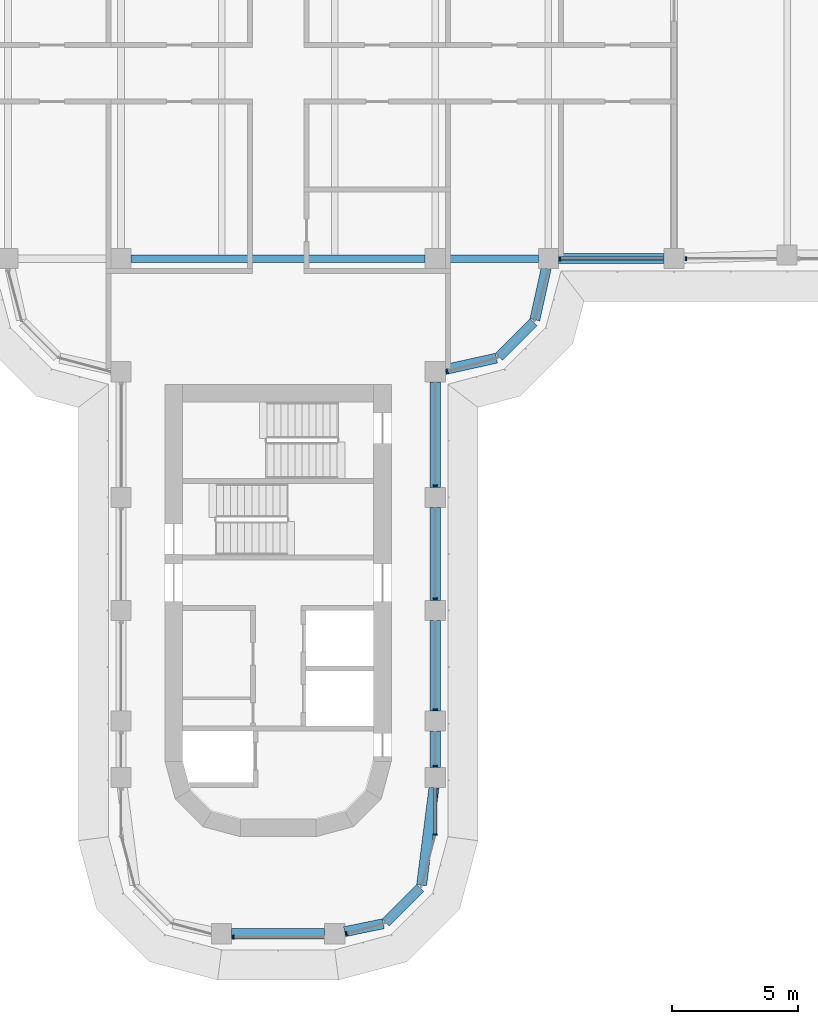
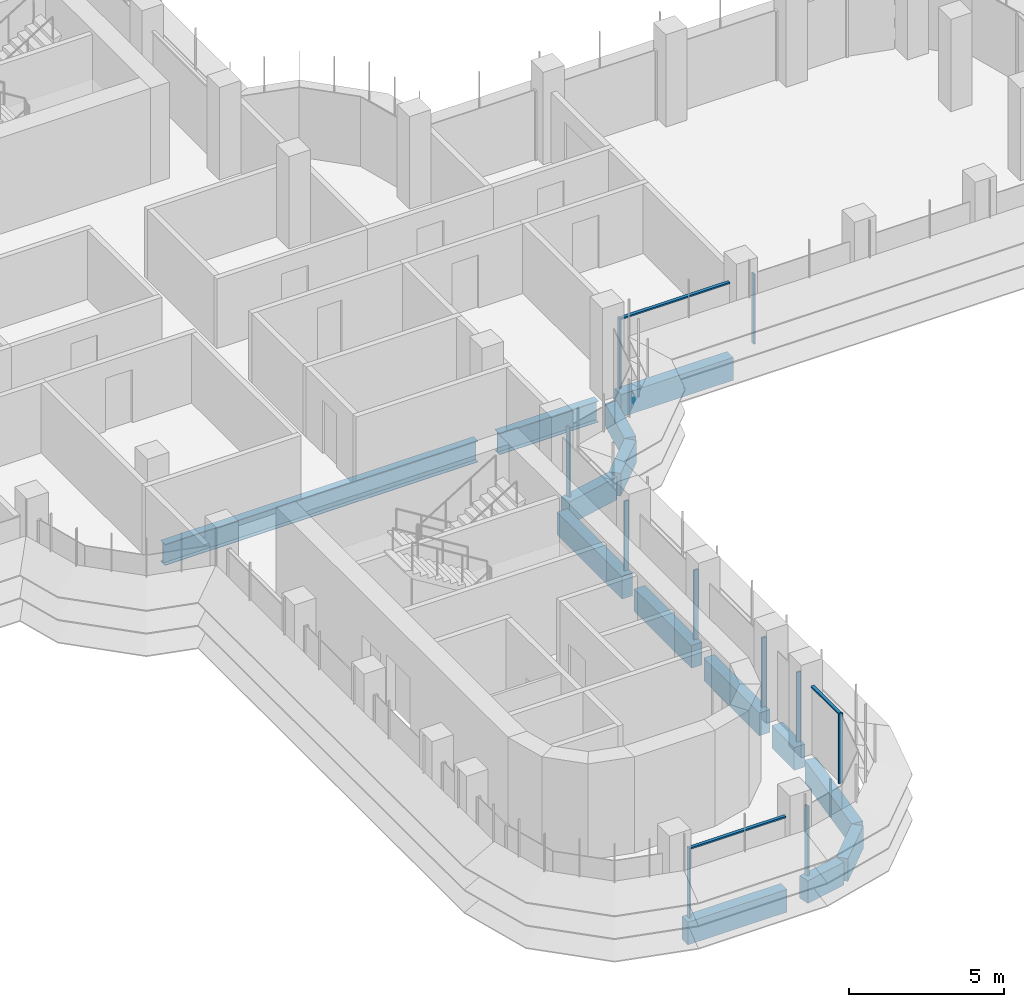
# One storey, part 4 of 20: 14 beams, 13 members, 5 elements without a shape of their own.
"""IFC4 building model written with IfcOpenShell, lengths in metres."""

from ifc_helpers import new_model, si_unit, direction, frame, origin, origin_2d, place, context, subcontext, project, spatial, polyline, rectangle, i_section, outline, extrude, source, transform, mapped, material, material_profile, profile_set, type_object, element, aggregate, save


model = new_model("IFC4")

# Units and contexts
model_context = context("Model", 3, precision=1e-05, world=origin(), true_north=direction((0.0, 1.0)))
body_context = subcontext(model_context, "Body", "Model", "MODEL_VIEW")
ifc_project = project(units=[si_unit("LENGTHUNIT", "METRE"), si_unit("AREAUNIT", "SQUARE_METRE"), si_unit("VOLUMEUNIT", "CUBIC_METRE"), si_unit("PLANEANGLEUNIT", "RADIAN"), si_unit("MASSUNIT", "GRAM", prefix="KILO")], contexts=[model_context])

# Site, building, storey
site_placement = place(None, origin())
site = spatial("IfcSite", under=ifc_project, at=site_placement, CompositionType="ELEMENT")
building_placement = place(site_placement, origin())
building = spatial("IfcBuilding", under=site, at=building_placement, Name="Zarbagh Exchange Tower", CompositionType="ELEMENT")
storey_placement = place(building_placement, frame((0.0, 0.0, 152.39990234375)))
storey = spatial("IfcBuildingStorey", under=building, at=storey_placement, Name="L36", CompositionType="ELEMENT", Elevation=152.39990234375)

# Beams
ifc_material_1 = material(Name="Steel ASTM A992 Gr 50", Category="steel")
ifc_material_profile_1 = material_profile(ifc_material_1, i_section(OverallWidth=0.2919921875, OverallDepth=0.835693359375, WebThickness=0.013916015625, FlangeThickness=0.018798828125, at=origin_2d()), Name="W33X118")
ifc_profile_set_1 = profile_set([ifc_material_profile_1], Name="Steel ASTM A992 Gr 50")
beam_type_1 = type_object("IfcBeamType", Name="Floor girder W33X118", PredefinedType="BEAM", material=ifc_profile_set_1)
beam_1_placement = place(storey_placement, frame((-5.85009765625, -6.25, -0.567626953125), z_axis=(1.0, 0.0, 0.0), x_axis=(0.0, 1.0, 0.0)))
element("IfcBeam", 1, at=beam_1_placement, inside=storey, type_object=beam_type_1, Name="Steel girder", PredefinedType="BEAM", context=body_context, shape_type="SweptSolid", body=[
    extrude(i_section(OverallWidth=0.2919921875, OverallDepth=0.835693359375, WebThickness=0.013916015625, FlangeThickness=0.018798828125, at=origin_2d()), origin(), (0.0, 0.0, 1.0), 11.7001953125),
])
beam_2_placement = place(storey_placement, frame((6.64990234375, -6.25, -0.567626953125), z_axis=(1.0, 0.0, 0.0), x_axis=(0.0, 1.0, 0.0)))
element("IfcBeam", 2, at=beam_2_placement, inside=storey, type_object=beam_type_1, Name="Steel girder", PredefinedType="BEAM", context=body_context, shape_type="SweptSolid", body=[
    extrude(i_section(OverallWidth=0.2919921875, OverallDepth=0.835693359375, WebThickness=0.013916015625, FlangeThickness=0.018798828125, at=origin_2d()), origin(), (0.0, 0.0, 1.0), 3.7001953125),
])
ifc_material_2 = material(Name="Concrete C50/60", Category="concrete")
ifc_material_profile_2 = material_profile(ifc_material_2, rectangle(XDim=0.39990234375, YDim=0.89990234375, at=origin_2d()), Name="RC spandrel beam 400 x 900 C50/60")
ifc_profile_set_2 = profile_set([ifc_material_profile_2], Name="Concrete C50/60")
beam_type_2 = type_object("IfcBeamType", Name="RC spandrel beam 400 x 900 C50/60", PredefinedType="SPANDREL", material=ifc_profile_set_2)
beam_3_placement = place(storey_placement, frame((15.35009765625, -6.25, -0.599853515625), z_axis=(-1.0, 0.0, 0.0), x_axis=(0.0, -1.0, 0.0)))
element("IfcBeam", 3, at=beam_3_placement, inside=storey, type_object=beam_type_2, Name="RC spandrel beam", PredefinedType="SPANDREL", context=body_context, shape_type="SweptSolid", body=[
    extrude(rectangle(XDim=0.39990234375, YDim=0.89990234375, at=origin_2d()), origin(), (0.0, 0.0, 1.0), 4.2001953125),
])
beam_4_placement = place(storey_placement, frame((10.66357421875, -6.640625, -0.599853515625), z_axis=(-0.216041061437, -0.976384278741, 0.0), x_axis=(0.976384278741, -0.216041061437, 0.0)))
element("IfcBeam", 4, at=beam_4_placement, inside=storey, type_object=beam_type_2, Name="RC spandrel beam", PredefinedType="SPANDREL", context=body_context, shape_type="SweptSolid", body=[
    extrude(rectangle(XDim=0.39990234375, YDim=0.89990234375, at=origin_2d()), origin(), (0.0, 0.0, 1.0), 2.0927734375),
])
beam_5_placement = place(storey_placement, frame((10.15771484375, -8.782470703125, -0.599853515625), z_axis=(-0.707106781187, -0.707106781187, 0.0), x_axis=(0.707106781187, -0.707106781187, 0.0)))
element("IfcBeam", 5, at=beam_5_placement, inside=storey, type_object=beam_type_2, Name="RC spandrel beam", PredefinedType="SPANDREL", context=body_context, shape_type="SweptSolid", body=[
    extrude(rectangle(XDim=0.39990234375, YDim=0.89990234375, at=origin_2d()), origin(), (0.0, 0.0, 1.0), 1.94482421875),
])
beam_6_placement = place(storey_placement, frame((8.68408203125, -10.21142578125, -0.599853515625), z_axis=(-0.976384278741, -0.216041061437, 0.0), x_axis=(0.216041061437, -0.976384278741, 0.0)))
element("IfcBeam", 6, at=beam_6_placement, inside=storey, type_object=beam_type_2, Name="RC spandrel beam", PredefinedType="SPANDREL", context=body_context, shape_type="SweptSolid", body=[
    extrude(rectangle(XDim=0.39990234375, YDim=0.89990234375, at=origin_2d()), origin(), (0.0, 0.0, 1.0), 2.0927734375),
])
beam_7_placement = place(storey_placement, frame((6.25, -11.14990234375, -0.599853515625), z_axis=(0.0, -1.0, 0.0), x_axis=(1.0, 0.0, 0.0)))
element("IfcBeam", 7, at=beam_7_placement, inside=storey, type_object=beam_type_2, Name="RC spandrel beam", PredefinedType="SPANDREL", context=body_context, shape_type="SweptSolid", body=[
    extrude(rectangle(XDim=0.39990234375, YDim=0.89990234375, at=origin_2d()), origin(), (0.0, 0.0, 1.0), 4.2001953125),
])
beam_8_placement = place(storey_placement, frame((6.25, -16.14990234375, -0.599853515625), z_axis=(0.0, -1.0, 0.0), x_axis=(1.0, 0.0, 0.0)))
element("IfcBeam", 8, at=beam_8_placement, inside=storey, type_object=beam_type_2, Name="RC spandrel beam", PredefinedType="SPANDREL", context=body_context, shape_type="SweptSolid", body=[
    extrude(rectangle(XDim=0.39990234375, YDim=0.89990234375, at=origin_2d()), origin(), (0.0, 0.0, 1.0), 3.7001953125),
])
beam_9_placement = place(storey_placement, frame((6.25, -20.64990234375, -0.599853515625), z_axis=(0.0, -1.0, 0.0), x_axis=(1.0, 0.0, 0.0)))
element("IfcBeam", 9, at=beam_9_placement, inside=storey, type_object=beam_type_2, Name="RC spandrel beam", PredefinedType="SPANDREL", context=body_context, shape_type="SweptSolid", body=[
    extrude(rectangle(XDim=0.39990234375, YDim=0.89990234375, at=origin_2d()), origin(), (0.0, 0.0, 1.0), 3.60009765625),
])
beam_10_placement = place(storey_placement, frame((6.25, -25.050048828125, -0.599853515625), z_axis=(0.0, -1.0, 0.0), x_axis=(1.0, 0.0, 0.0)))
element("IfcBeam", 10, at=beam_10_placement, inside=storey, type_object=beam_type_2, Name="RC spandrel beam", PredefinedType="SPANDREL", context=body_context, shape_type="SweptSolid", body=[
    extrude(rectangle(XDim=0.39990234375, YDim=0.89990234375, at=origin_2d()), origin(), (0.0, 0.0, 1.0), 1.449951171875),
])
beam_11_placement = place(storey_placement, frame((6.19970703125, -27.296875, -0.599853515625), z_axis=(-0.125956921243, -0.992035712054, 0.0), x_axis=(0.992035712054, -0.125956921243, 0.0)))
element("IfcBeam", 11, at=beam_11_placement, inside=storey, type_object=beam_type_2, Name="RC spandrel beam", PredefinedType="SPANDREL", context=body_context, shape_type="SweptSolid", body=[
    extrude(rectangle(XDim=0.39990234375, YDim=0.89990234375, at=origin_2d()), origin(), (0.0, 0.0, 1.0), 3.907470703125),
])
beam_12_placement = place(storey_placement, frame((5.650390625, -31.28955078125, -0.599853515625), z_axis=(-0.707106781187, -0.707106781187, 0.0), x_axis=(0.707106781187, -0.707106781187, 0.0)))
element("IfcBeam", 12, at=beam_12_placement, inside=storey, type_object=beam_type_2, Name="RC spandrel beam", PredefinedType="SPANDREL", context=body_context, shape_type="SweptSolid", body=[
    extrude(rectangle(XDim=0.39990234375, YDim=0.89990234375, at=origin_2d()), origin(), (0.0, 0.0, 1.0), 1.93310546875),
])
beam_13_placement = place(storey_placement, frame((4.1826171875, -32.7109375, -0.599853515625), z_axis=(-0.979350550491, -0.20216948151, 0.0), x_axis=(0.20216948151, -0.979350550491, 0.0)))
element("IfcBeam", 13, at=beam_13_placement, inside=storey, type_object=beam_type_2, Name="RC spandrel beam", PredefinedType="SPANDREL", context=body_context, shape_type="SweptSolid", body=[
    extrude(rectangle(XDim=0.39990234375, YDim=0.89990234375, at=origin_2d()), origin(), (0.0, 0.0, 1.0), 1.573486328125),
])
beam_14_placement = place(storey_placement, frame((1.85009765625, -33.110107421875, -0.599853515625), z_axis=(-1.0, 0.0, 0.0), x_axis=(0.0, -1.0, 0.0)))
element("IfcBeam", 14, at=beam_14_placement, inside=storey, type_object=beam_type_2, Name="RC spandrel beam", PredefinedType="SPANDREL", context=body_context, shape_type="SweptSolid", body=[
    extrude(rectangle(XDim=0.39990234375, YDim=0.89990234375, at=origin_2d()), origin(), (0.0, 0.0, 1.0), 3.7001953125),
])

# Curtain wall, member
ifc_material_3 = material(Name="Anodised aluminium frame and glazing", Category="aluminium")
curtain_wall_type = type_object("IfcCurtainWallType", Name="CWB Ribbon glazing, upper zones", PredefinedType="NOTDEFINED", material=ifc_material_3)
curtain_wall_1_placement = place(storey_placement, origin())
curtain_wall_1 = element("IfcCurtainWall", 15, at=curtain_wall_1_placement, inside=storey, type_object=curtain_wall_type, Name="CWB01 curtain wall", PredefinedType="NOTDEFINED")
ifc_material_4 = material(Name="Anodised aluminium frame", Category="aluminium")
member_type_1 = type_object("IfcMemberType", Name="MUB Mullion, anodised aluminium frame", PredefinedType="MULLION", material=ifc_material_4)
shared_shape_1 = source(origin(), body_context, "Body", "SweptSolid", [
    extrude(outline(polyline([(0.0, -0.080078125), (0.06005859375, -0.080078125), (0.06005859375, 0.080078125), (0.0, 0.080078125), (0.0, -0.080078125)])), origin(), (0.0, 0.0, 1.0), 2.75),
])
placement = place(storey_placement, origin())
member_1 = element("IfcMember", 16, at=placement, type_object=member_type_1, Name="CWB01 mullion 1.1", PredefinedType="MULLION", context=body_context, shape_type="MappedRepresentation", body=[
    mapped(shared_shape_1, transform((2.68994140625, -33.114501953125, 0.0), x_axis=(0.965924289636, 0.258824779902, 0.0), y_axis=(-0.258824779902, 0.965924289636, 0.0), z_axis=(0.0, 0.0, 1.0))),
])
aggregate(curtain_wall_1, [member_1])

# Curtain wall, members
curtain_wall_2_placement = place(storey_placement, origin())
curtain_wall_2 = element("IfcCurtainWall", 17, at=curtain_wall_2_placement, inside=storey, type_object=curtain_wall_type, Name="CWB04 curtain wall", PredefinedType="NOTDEFINED")
member_2 = element("IfcMember", 18, at=placement, type_object=member_type_1, Name="CWB04 mullion 1.1", PredefinedType="MULLION", context=body_context, shape_type="MappedRepresentation", body=[
    mapped(shared_shape_1, transform((6.25, -29.18408203125, 0.0), x_axis=(0.0, 1.0, 0.0), y_axis=(-1.0, 0.0, 0.0), z_axis=(0.0, 0.0, 1.0))),
])
member_3 = element("IfcMember", 19, at=placement, type_object=member_type_1, Name="CWB04 mullion 2.1", PredefinedType="MULLION", context=body_context, shape_type="MappedRepresentation", body=[
    mapped(shared_shape_1, transform((6.25, -26.4599609375, 0.0), x_axis=(0.0, 1.0, 0.0), y_axis=(-1.0, 0.0, 0.0), z_axis=(0.0, 0.0, 1.0))),
])
member_4 = element("IfcMember", 20, at=placement, type_object=member_type_1, Name="CWB04 mullion 3.1", PredefinedType="MULLION", context=body_context, shape_type="MappedRepresentation", body=[
    mapped(shared_shape_1, transform((6.25, -24.2099609375, 0.0), x_axis=(0.0, 1.0, 0.0), y_axis=(-1.0, 0.0, 0.0), z_axis=(0.0, 0.0, 1.0))),
])
member_5 = element("IfcMember", 21, at=placement, type_object=member_type_1, Name="CWB04 mullion 4.1", PredefinedType="MULLION", context=body_context, shape_type="MappedRepresentation", body=[
    mapped(shared_shape_1, transform((6.25, -19.81005859375, 0.0), x_axis=(0.0, 1.0, 0.0), y_axis=(-1.0, 0.0, 0.0), z_axis=(0.0, 0.0, 1.0))),
])
member_6 = element("IfcMember", 22, at=placement, type_object=member_type_1, Name="CWB04 mullion 5.1", PredefinedType="MULLION", context=body_context, shape_type="MappedRepresentation", body=[
    mapped(shared_shape_1, transform((6.25, -15.31005859375, 0.0), x_axis=(0.0, 1.0, 0.0), y_axis=(-1.0, 0.0, 0.0), z_axis=(0.0, 0.0, 1.0))),
])

# Curtain wall, member
curtain_wall_3_placement = place(storey_placement, origin())
curtain_wall_3 = element("IfcCurtainWall", 23, at=curtain_wall_3_placement, inside=storey, type_object=curtain_wall_type, Name="CWB05 curtain wall", PredefinedType="NOTDEFINED")
member_7 = element("IfcMember", 24, at=placement, type_object=member_type_1, Name="CWB05 mullion 1.1", PredefinedType="MULLION", context=body_context, shape_type="MappedRepresentation", body=[
    mapped(shared_shape_1, transform((6.68994140625, -10.74853515625, 0.0), x_axis=(0.965924289636, 0.258824779902, 0.0), y_axis=(-0.258824779902, 0.965924289636, 0.0), z_axis=(0.0, 0.0, 1.0))),
])
aggregate(curtain_wall_3, [member_7])

# Curtain wall, members
curtain_wall_4_placement = place(storey_placement, origin())
curtain_wall_4 = element("IfcCurtainWall", 25, at=curtain_wall_4_placement, inside=storey, type_object=curtain_wall_type, Name="CWB08 curtain wall", PredefinedType="NOTDEFINED")
member_8 = element("IfcMember", 26, at=placement, type_object=member_type_1, Name="CWB08 mullion 1.1", PredefinedType="MULLION", context=body_context, shape_type="MappedRepresentation", body=[
    mapped(shared_shape_1, transform((11.18994140625, -6.25, 0.0), x_axis=(1.0, 0.0, 0.0), y_axis=(0.0, 1.0, 0.0), z_axis=(0.0, 0.0, 1.0))),
])
member_9 = element("IfcMember", 27, at=placement, type_object=member_type_1, Name="CWB08 mullion 2.1", PredefinedType="MULLION", context=body_context, shape_type="MappedRepresentation", body=[
    mapped(shared_shape_1, transform((16.18994140625, -6.25, 0.0), x_axis=(1.0, 0.0, 0.0), y_axis=(0.0, 1.0, 0.0), z_axis=(0.0, 0.0, 1.0))),
])

# Curtain wall, member
curtain_wall_5_placement = place(storey_placement, origin())
curtain_wall_5 = element("IfcCurtainWall", 28, at=curtain_wall_5_placement, inside=storey, type_object=curtain_wall_type, Name="CWB48 curtain wall", PredefinedType="NOTDEFINED")
member_10 = element("IfcMember", 29, at=placement, type_object=member_type_1, Name="CWB48 mullion 1.1", PredefinedType="MULLION", context=body_context, shape_type="MappedRepresentation", body=[
    mapped(shared_shape_1, transform((-1.81005859375, -33.25, 0.0), x_axis=(1.0, 0.0, 0.0), y_axis=(0.0, 1.0, 0.0), z_axis=(0.0, 0.0, 1.0))),
])

# Member
member_type_2 = type_object("IfcMemberType", Name="TRB Transom, anodised aluminium frame", PredefinedType="USERDEFINED", material=ifc_material_4)
shared_shape_2 = source(origin(), body_context, "Body", "SweptSolid", [
    extrude(outline(polyline([(-0.06005859375, -0.06005859375), (0.0, -0.06005859375), (0.0, 0.06005859375), (-0.06005859375, 0.06005859375), (-0.06005859375, -0.06005859375)])), origin(), (0.0, 0.0, 1.0), 1.7841796875),
])
member_11 = element("IfcMember", 30, at=placement, type_object=member_type_2, Name="CWB04 transom 1.1", ObjectType="TRANSOM", PredefinedType="USERDEFINED", context=body_context, shape_type="MappedRepresentation", body=[
    mapped(shared_shape_2, transform((6.25, -29.124267578125, 2.75), x_axis=(0.0, 0.0, 1.0), y_axis=(1.0, 0.0, 0.0), z_axis=(0.0, 1.0, 0.0))),
])

aggregate(curtain_wall_2, [member_2, member_11, member_3, member_4, member_5, member_6])

shared_shape_3 = source(origin(), body_context, "Body", "SweptSolid", [
    extrude(outline(polyline([(-0.06005859375, -0.06005859375), (0.0, -0.06005859375), (0.0, 0.06005859375), (-0.06005859375, 0.06005859375), (-0.06005859375, -0.06005859375)])), origin(), (0.0, 0.0, 1.0), 4.06005859375),
])
member_12 = element("IfcMember", 31, at=placement, type_object=member_type_2, Name="CWB08 transom 1.1", ObjectType="TRANSOM", PredefinedType="USERDEFINED", context=body_context, shape_type="MappedRepresentation", body=[
    mapped(shared_shape_3, transform((11.25, -6.25, 2.75), x_axis=(0.0, 0.0, 1.0), y_axis=(0.0, -1.0, 0.0), z_axis=(1.0, 0.0, 0.0))),
])

aggregate(curtain_wall_4, [member_8, member_12, member_9])

shared_shape_4 = source(origin(), body_context, "Body", "SweptSolid", [
    extrude(outline(polyline([(-0.06005859375, -0.06005859375), (0.0, -0.06005859375), (0.0, 0.06005859375), (-0.06005859375, 0.06005859375), (-0.06005859375, -0.06005859375)])), origin(), (0.0, 0.0, 1.0), 3.56005859375),
])
member_13 = element("IfcMember", 32, at=placement, type_object=member_type_2, Name="CWB48 transom 1.1", ObjectType="TRANSOM", PredefinedType="USERDEFINED", context=body_context, shape_type="MappedRepresentation", body=[
    mapped(shared_shape_4, transform((-1.75, -33.25, 2.75), x_axis=(0.0, 0.0, 1.0), y_axis=(0.0, -1.0, 0.0), z_axis=(1.0, 0.0, 0.0))),
])

aggregate(curtain_wall_5, [member_10, member_13])

save(model, "model.ifc")
